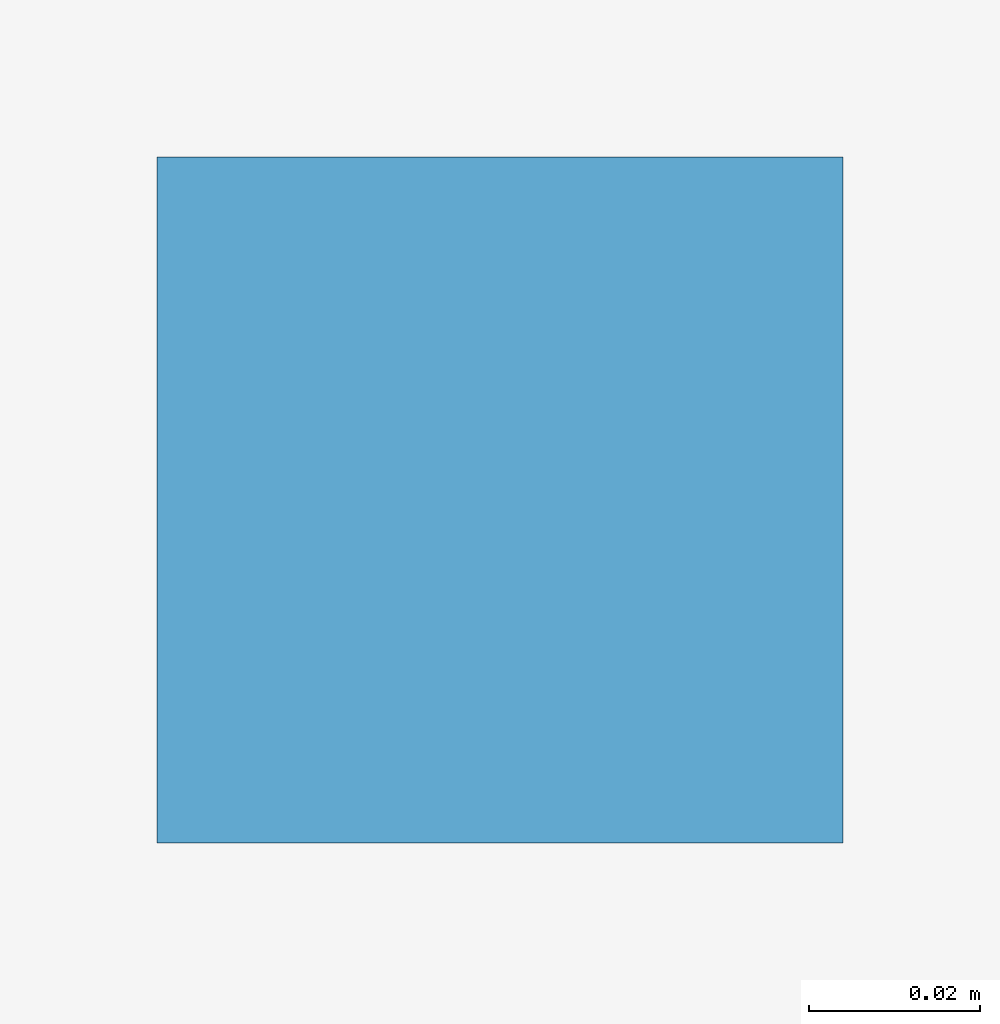
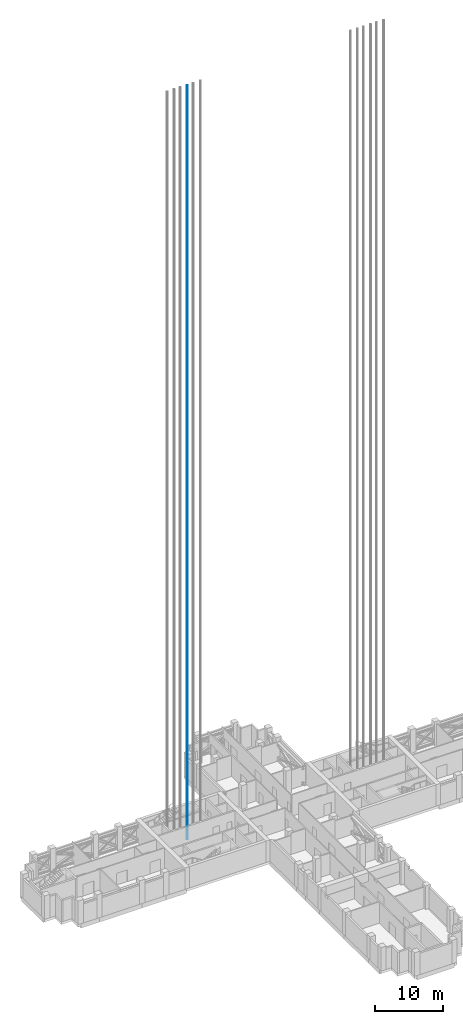
# One storey, part 13 of 22: 1 discrete accessory.
"""IFC4 building model written with IfcOpenShell, lengths in metres."""

from ifc_helpers import new_model, si_unit, direction, frame, origin, origin_2d, place, context, subcontext, project, spatial, rectangle, extrude, material, element, save


model = new_model("IFC4")

# Units and contexts
model_context = context("Model", 3, precision=1e-05, world=origin(), true_north=direction((0.0, 1.0)))
body_context = subcontext(model_context, "Body", "Model", "MODEL_VIEW")
ifc_project = project(units=[si_unit("LENGTHUNIT", "METRE"), si_unit("AREAUNIT", "SQUARE_METRE"), si_unit("VOLUMEUNIT", "CUBIC_METRE"), si_unit("PLANEANGLEUNIT", "RADIAN"), si_unit("MASSUNIT", "GRAM", prefix="KILO")], contexts=[model_context])

# Site, building, storey
site_placement = place(None, origin())
site = spatial("IfcSite", under=ifc_project, at=site_placement, CompositionType="ELEMENT")
building_placement = place(site_placement, origin())
building = spatial("IfcBuilding", under=site, at=building_placement, Name="Fustian Cross Tower", CompositionType="ELEMENT")
storey_placement = place(building_placement, frame((0.0, 0.0, 111.89990234375)))
storey = spatial("IfcBuildingStorey", under=building, at=storey_placement, Name="L35", CompositionType="ELEMENT", Elevation=111.89990234375)

# Discrete accessory
ifc_material = material(Name="Steel S355", Category="steel")
discrete_accessory_placement = place(storey_placement, frame((-14.875, 3.7099609375, 0.0), z_axis=(0.0, 0.0, 1.0), x_axis=(1.0, 0.0, 0.0)))
element("IfcDiscreteAccessory", 1, at=discrete_accessory_placement, inside=storey, material=ifc_material, Name="Lift guide rail HR2W 2", PredefinedType="NOTDEFINED", context=body_context, shape_type="SweptSolid", body=[
    extrude(rectangle(XDim=0.080078125, YDim=0.080078125, at=origin_2d()), origin(), (0.0, 0.0, 1.0), 134.60009765625),
])

save(model, "model.ifc")
